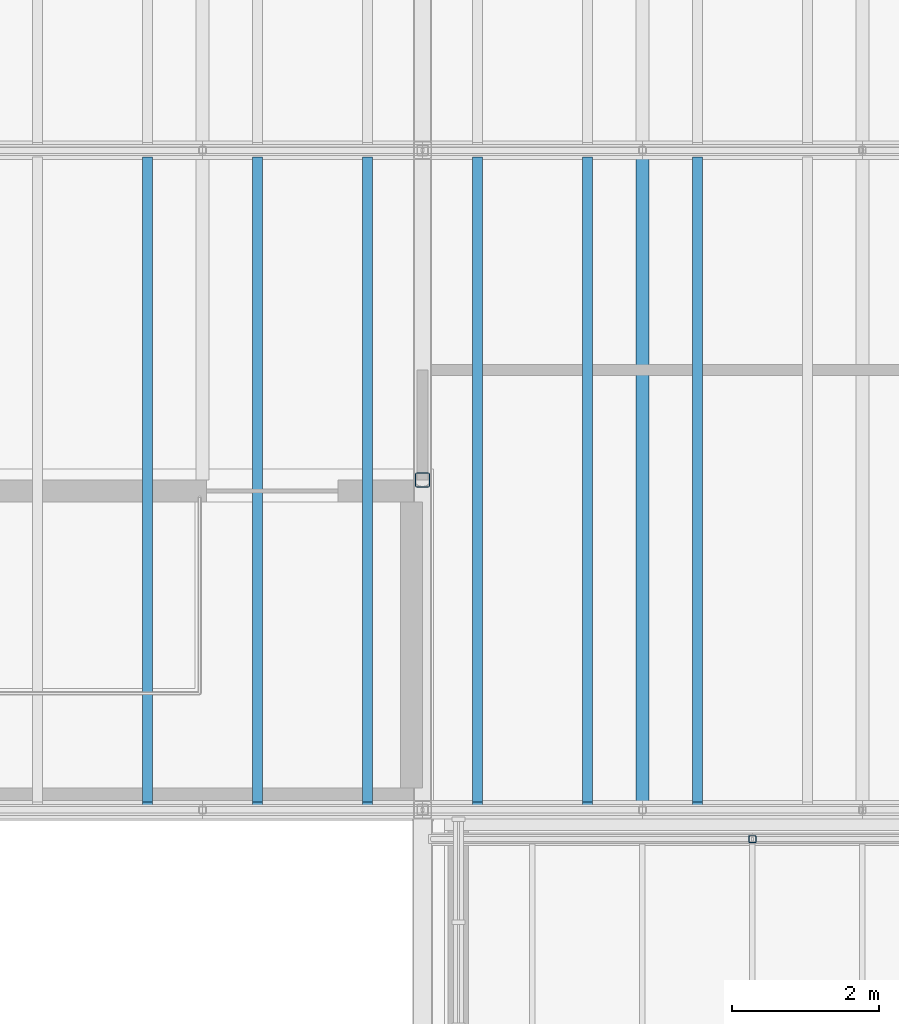
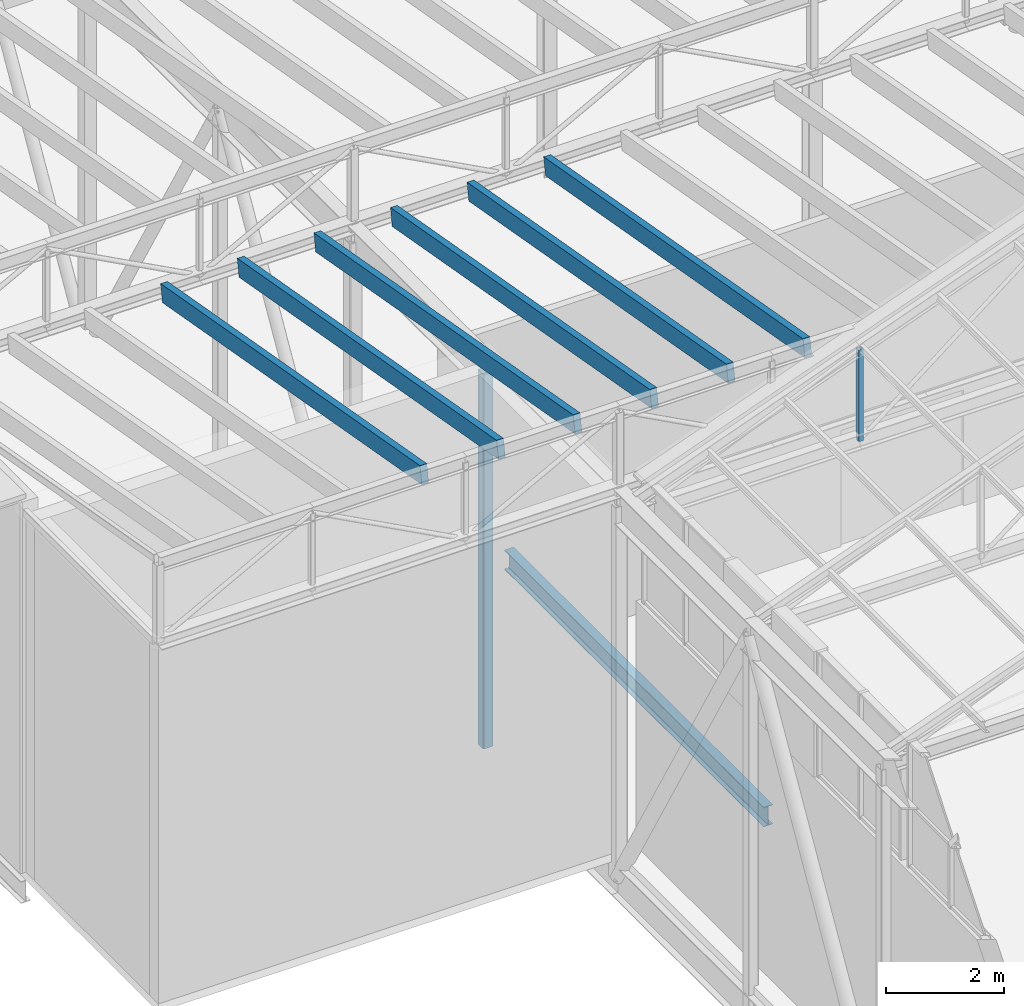
# One storey, part 25 of 90: 8 members, 1 beam.
"""IFC4 building model written with IfcOpenShell, lengths in metres."""

from ifc_helpers import new_model, si_unit, direction, frame, origin, origin_2d, place, context, subcontext, project, spatial, rectangle, hollow_rectangle, i_section, extrude, material, material_profile, profile_set, type_object, element, save


model = new_model("IFC4")

# Units and contexts
model_context = context("Model", 3, precision=1e-05, world=origin(), true_north=direction((0.0, 1.0)))
body_context = subcontext(model_context, "Body", "Model", "MODEL_VIEW")
ifc_project = project(units=[si_unit("LENGTHUNIT", "METRE"), si_unit("AREAUNIT", "SQUARE_METRE"), si_unit("VOLUMEUNIT", "CUBIC_METRE"), si_unit("PLANEANGLEUNIT", "RADIAN"), si_unit("MASSUNIT", "GRAM", prefix="KILO")], contexts=[model_context])

# Site, building, storey
site_placement = place(None, origin())
site = spatial("IfcSite", under=ifc_project, at=site_placement, CompositionType="ELEMENT")
building_placement = place(site_placement, origin())
building = spatial("IfcBuilding", under=site, at=building_placement, Name="Halyard Row Museum", CompositionType="ELEMENT")
storey_placement = place(building_placement, frame((0.0, 0.0, 13.39990234375)))
storey = spatial("IfcBuildingStorey", under=building, at=storey_placement, Name="L03", CompositionType="ELEMENT", Elevation=13.39990234375)

# Members
ifc_material_1 = material(Name="Glulam GL12 radiata pine", Category="wood")
ifc_material_profile_1 = material_profile(ifc_material_1, rectangle(XDim=0.135009765625, YDim=0.360107421875, at=origin_2d()), Name="GL12 135x360")
ifc_profile_set_1 = profile_set([ifc_material_profile_1], Name="Glulam GL12 radiata pine")
member_type_1 = type_object("IfcMemberType", Name="Rafter GL12 135x360", PredefinedType="RAFTER", material=ifc_profile_set_1)
for number, where, z_axis, x_axis, name in (
    (1, (32.25, 18.074462890625, 9.083984375), (0.0, 0.984562193919, -0.175035100209), (-1.0, 0.0, 0.0), "Rafter V1-T1a.4"),
    (2, (33.75, 18.074462890625, 9.083984375), (0.0, 0.984562193919, -0.175035100209), (-1.0, 0.0, 0.0), "Rafter V1-T1a.5"),
    (3, (35.25, 18.074462890625, 9.083984375), (0.0, 0.984562193919, -0.175035100209), (-1.0, 0.0, 0.0), "Rafter V1-T1a.6"),
    (4, (36.75, 18.074462890625, 9.083984375), (0.0, 0.984562193919, -0.175035100209), (-1.0, 0.0, 0.0), "Rafter V1-T1a.7"),
    (5, (38.25, 18.074462890625, 9.083984375), (0.0, 0.984562193919, -0.175035100209), (-1.0, 0.0, 0.0), "Rafter V1-T1a.8"),
    (6, (39.75, 18.074462890625, 9.083984375), (0.0, 0.984562193919, -0.175035100209), (-1.0, 0.0, 0.0), "Rafter V1-T1a.9"),
):
    element("IfcMember", number, at=place(storey_placement, frame(where, z_axis=z_axis, x_axis=x_axis)), inside=storey, type_object=member_type_1, Name=name, PredefinedType="RAFTER", context=body_context, shape_type="SweptSolid", body=[
        extrude(rectangle(XDim=0.135009765625, YDim=0.360107421875, at=origin_2d()), origin(), (0.0, 0.0, 1.0), 8.9365234375),
    ])
ifc_material_2 = material(Name="Steel Grade C350L0", Category="steel")
ifc_material_profile_2 = material_profile(ifc_material_2, hollow_rectangle(XDim=0.10009765625, YDim=0.10009765625, WallThickness=0.006103515625, InnerFilletRadius=0.009033203125, OuterFilletRadius=0.014892578125, at=origin_2d()), Name="100x100x6.0SHS")
ifc_profile_set_2 = profile_set([ifc_material_profile_2], Name="Steel Grade C350L0")
member_type_2 = type_object("IfcMemberType", Name="Roof truss post 100x100x6.0SHS", PredefinedType="POST", material=ifc_profile_set_2)
member_1_placement = place(storey_placement, frame((40.5, 17.60009765625, 7.197998046875), z_axis=(0.0, 0.0, 1.0), x_axis=(1.0, 0.0, 0.0)))
element("IfcMember", 7, at=member_1_placement, inside=storey, type_object=member_type_2, Name="V4RT5 post 1", PredefinedType="POST", context=body_context, shape_type="SweptSolid", body=[
    extrude(hollow_rectangle(XDim=0.10009765625, YDim=0.10009765625, WallThickness=0.006103515625, InnerFilletRadius=0.009033203125, OuterFilletRadius=0.014892578125, at=origin_2d()), origin(), (0.0, 0.0, 1.0), 1.894775390625),
])

# Beam
ifc_material_3 = material(Name="Steel Grade 300", Category="steel")
ifc_material_profile_3 = material_profile(ifc_material_3, i_section(OverallWidth=0.177978515625, OverallDepth=0.406494140625, WebThickness=0.0078125, FlangeThickness=0.0126953125, FilletRadius=0.011474609375, at=origin_2d()), Name="410UB59.7")
ifc_profile_set_3 = profile_set([ifc_material_profile_3], Name="Steel Grade 300")
beam_type = type_object("IfcBeamType", Name="Secondary beam 410UB59.7", PredefinedType="BEAM", material=ifc_profile_set_3)
beam_placement = place(storey_placement, frame((39.0, 18.1044921875, -0.3681640625), z_axis=(0.0, 1.0, 0.0), x_axis=(-1.0, 0.0, 0.0)))
element("IfcBeam", 8, at=beam_placement, inside=storey, type_object=beam_type, Name="Beam L03-087", PredefinedType="BEAM", context=body_context, shape_type="SweptSolid", body=[
    extrude(i_section(OverallWidth=0.177978515625, OverallDepth=0.406494140625, WebThickness=0.0078125, FlangeThickness=0.0126953125, FilletRadius=0.011474609375, at=origin_2d()), origin(), (0.0, 0.0, 1.0), 8.791015625),
])

# Member
ifc_material_4 = material(Name="Steel Grade C350L0", Category="steel")
ifc_material_profile_4 = material_profile(ifc_material_4, hollow_rectangle(XDim=0.199951171875, YDim=0.199951171875, WallThickness=0.009033203125, InnerFilletRadius=0.013427734375, OuterFilletRadius=0.0224609375, at=origin_2d()), Name="200x200x9.0SHS")
ifc_profile_set_4 = profile_set([ifc_material_profile_4], Name="Steel Grade C350L0")
member_type_3 = type_object("IfcMemberType", Name="Transfer truss post 200x200x9.0SHS", PredefinedType="POST", material=ifc_profile_set_4)
member_2_placement = place(storey_placement, frame((36.0, 22.5, -0.514892578125), z_axis=(0.0, 0.0, 1.0), x_axis=(1.0, 0.0, 0.0)))
element("IfcMember", 9, at=member_2_placement, inside=storey, type_object=member_type_3, Name="TT1 post 6", PredefinedType="POST", context=body_context, shape_type="SweptSolid", body=[
    extrude(hollow_rectangle(XDim=0.199951171875, YDim=0.199951171875, WallThickness=0.009033203125, InnerFilletRadius=0.013427734375, OuterFilletRadius=0.0224609375, at=origin_2d()), origin(), (0.0, 0.0, 1.0), 7.744873046875),
])

save(model, "model.ifc")
